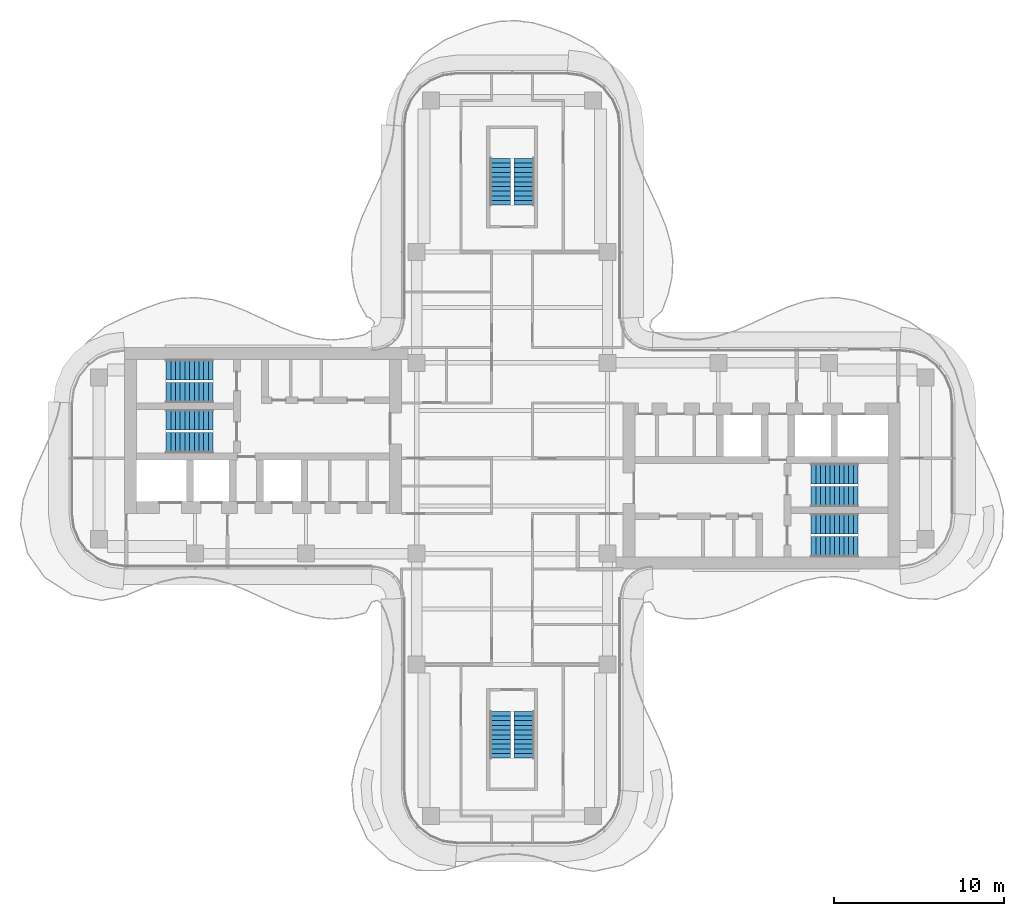
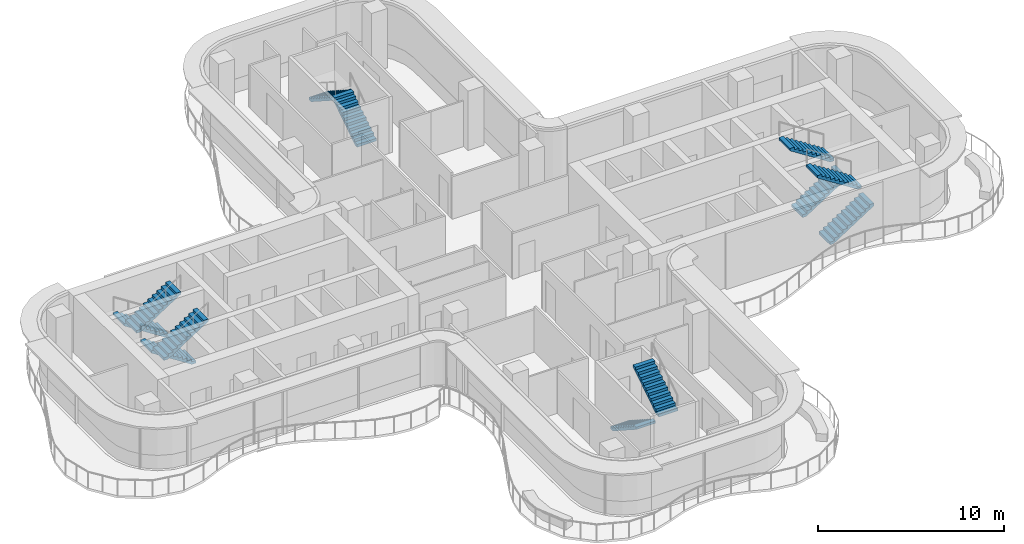
# One storey, part 15 of 17: 12 stair flights, 6 elements without a shape of their own.
"""IFC4 building model written with IfcOpenShell, lengths in metres."""

from ifc_helpers import new_model, si_unit, direction, frame, origin, place, context, subcontext, project, spatial, polyline, outline, extrude, source, transform, mapped, material, type_object, element, aggregate, save


model = new_model("IFC4")

# Units and contexts
model_context = context("Model", 3, precision=1e-05, world=origin(), true_north=direction((0.0, 1.0)))
body_context = subcontext(model_context, "Body", "Model", "MODEL_VIEW")
ifc_project = project(units=[si_unit("LENGTHUNIT", "METRE"), si_unit("AREAUNIT", "SQUARE_METRE"), si_unit("VOLUMEUNIT", "CUBIC_METRE"), si_unit("PLANEANGLEUNIT", "RADIAN"), si_unit("MASSUNIT", "GRAM", prefix="KILO")], contexts=[model_context])

# Site, building, storey
site_placement = place(None, origin())
site = spatial("IfcSite", under=ifc_project, at=site_placement, CompositionType="ELEMENT")
building_placement = place(site_placement, origin())
building = spatial("IfcBuilding", under=site, at=building_placement, Name="Trellis Farm Tower", CompositionType="ELEMENT")
storey_placement = place(building_placement, frame((0.0, 0.0, 295.0)))
storey = spatial("IfcBuildingStorey", under=building, at=storey_placement, Name="L66", CompositionType="ELEMENT", Elevation=295.0)

# Stair, stair flights
ifc_material = material(Name="Concrete C50/60", Category="concrete")
stair_type = type_object("IfcStairType", Name="CORE EXIT STAIR 22 RISERS 177 MM", PredefinedType="HALF_TURN_STAIR", material=ifc_material)
placement = place(storey_placement, origin())
stair_1 = element("IfcStair", 1, at=placement, inside=storey, type_object=stair_type, Name="Exit stair N", PredefinedType="HALF_TURN_STAIR")
stair_flight_type = type_object("IfcStairFlightType", Name="STAIR FLIGHT 11 RISERS 177 MM", PredefinedType="STRAIGHT", material=ifc_material)
shared_shape = source(origin(), body_context, "Body", "SweptSolid", [
    extrude(outline(polyline([(0.0, 0.0), (0.0, 0.17724609375), (0.27490234375, 0.17724609375), (0.27490234375, 0.3544921875), (0.550048828125, 0.3544921875), (0.550048828125, 0.53173828125), (0.824951171875, 0.53173828125), (0.824951171875, 0.708984375), (1.10009765625, 0.708984375), (1.10009765625, 0.886474609375), (1.375, 0.886474609375), (1.375, 1.063720703125), (1.64990234375, 1.063720703125), (1.64990234375, 1.240966796875), (1.925048828125, 1.240966796875), (1.925048828125, 1.418212890625), (2.199951171875, 1.418212890625), (2.199951171875, 1.595458984375), (2.47509765625, 1.595458984375), (2.47509765625, 1.772705078125), (2.75, 1.772705078125), (2.75, 1.949951171875), (2.75, 1.6181640625), (0.23974609375, 0.0), (0.0, 0.0)])), frame((0.0, 0.60009765625, 0.0), z_axis=(0.0, -1.0, 0.0), x_axis=(1.0, 0.0, 0.0)), (0.0, 0.0, 1.0), 1.199951171875),
])
stair_flight_1_placement = place(storey_placement, frame((0.699951171875, 14.85009765625, 0.0), z_axis=(0.0, 0.0, 1.0), x_axis=(0.0, 1.0, 0.0)))
stair_flight_1 = element("IfcStairFlight", 2, at=stair_flight_1_placement, type_object=stair_flight_type, Name="STN flight 1", NumberOfRisers=11, NumberOfTreads=10, PredefinedType="STRAIGHT", RiserHeight=0.177272727, TreadLength=0.275, context=body_context, shape_type="MappedRepresentation", body=[
    mapped(shared_shape, transform((0.0, 0.0, 0.0))),
])
stair_flight_2_placement = place(storey_placement, frame((-0.699951171875, 17.60009765625, 1.949951171875), z_axis=(0.0, 0.0, 1.0), x_axis=(0.0, -1.0, 0.0)))
stair_flight_2 = element("IfcStairFlight", 3, at=stair_flight_2_placement, type_object=stair_flight_type, Name="STN flight 2", NumberOfRisers=11, NumberOfTreads=10, PredefinedType="STRAIGHT", RiserHeight=0.177272727, TreadLength=0.275, context=body_context, shape_type="MappedRepresentation", body=[
    mapped(shared_shape, transform((0.0, 0.0, 0.0))),
])
aggregate(stair_1, [stair_flight_1, stair_flight_2])

stair_2 = element("IfcStair", 4, at=placement, inside=storey, type_object=stair_type, Name="Exit stair S", PredefinedType="HALF_TURN_STAIR")
stair_flight_3_placement = place(storey_placement, frame((-0.699951171875, -14.85009765625, 0.0), z_axis=(0.0, 0.0, 1.0), x_axis=(0.0, -1.0, 0.0)))
stair_flight_3 = element("IfcStairFlight", 5, at=stair_flight_3_placement, type_object=stair_flight_type, Name="STS flight 1", NumberOfRisers=11, NumberOfTreads=10, PredefinedType="STRAIGHT", RiserHeight=0.177272727, TreadLength=0.275, context=body_context, shape_type="MappedRepresentation", body=[
    mapped(shared_shape, transform((0.0, 0.0, 0.0))),
])
stair_flight_4_placement = place(storey_placement, frame((0.699951171875, -17.60009765625, 1.949951171875), z_axis=(0.0, 0.0, 1.0), x_axis=(0.0, 1.0, 0.0)))
stair_flight_4 = element("IfcStairFlight", 6, at=stair_flight_4_placement, type_object=stair_flight_type, Name="STS flight 2", NumberOfRisers=11, NumberOfTreads=10, PredefinedType="STRAIGHT", RiserHeight=0.177272727, TreadLength=0.275, context=body_context, shape_type="MappedRepresentation", body=[
    mapped(shared_shape, transform((0.0, 0.0, 0.0))),
])
aggregate(stair_2, [stair_flight_3, stair_flight_4])

stair_3 = element("IfcStair", 7, at=placement, inside=storey, type_object=stair_type, Name="Exit stair E1", PredefinedType="HALF_TURN_STAIR")
stair_flight_5_placement = place(storey_placement, frame((17.550048828125, -5.199951171875, 0.0), z_axis=(0.0, 0.0, 1.0), x_axis=(1.0, 0.0, 0.0)))
stair_flight_5 = element("IfcStairFlight", 8, at=stair_flight_5_placement, type_object=stair_flight_type, Name="STE1 flight 1", NumberOfRisers=11, NumberOfTreads=10, PredefinedType="STRAIGHT", RiserHeight=0.177272727, TreadLength=0.275, context=body_context, shape_type="MappedRepresentation", body=[
    mapped(shared_shape, transform((0.0, 0.0, 0.0))),
])
stair_flight_6_placement = place(storey_placement, frame((20.300048828125, -3.85009765625, 1.949951171875), z_axis=(0.0, 0.0, 1.0), x_axis=(-1.0, 0.0, 0.0)))
stair_flight_6 = element("IfcStairFlight", 9, at=stair_flight_6_placement, type_object=stair_flight_type, Name="STE1 flight 2", NumberOfRisers=11, NumberOfTreads=10, PredefinedType="STRAIGHT", RiserHeight=0.177272727, TreadLength=0.275, context=body_context, shape_type="MappedRepresentation", body=[
    mapped(shared_shape, transform((0.0, 0.0, 0.0))),
])
aggregate(stair_3, [stair_flight_5, stair_flight_6])

stair_4 = element("IfcStair", 10, at=placement, inside=storey, type_object=stair_type, Name="Exit stair E2", PredefinedType="HALF_TURN_STAIR")
stair_flight_7_placement = place(storey_placement, frame((17.550048828125, -2.25, 0.0), z_axis=(0.0, 0.0, 1.0), x_axis=(1.0, 0.0, 0.0)))
stair_flight_7 = element("IfcStairFlight", 11, at=stair_flight_7_placement, type_object=stair_flight_type, Name="STE2 flight 1", NumberOfRisers=11, NumberOfTreads=10, PredefinedType="STRAIGHT", RiserHeight=0.177272727, TreadLength=0.275, context=body_context, shape_type="MappedRepresentation", body=[
    mapped(shared_shape, transform((0.0, 0.0, 0.0))),
])
stair_flight_8_placement = place(storey_placement, frame((20.300048828125, -0.89990234375, 1.949951171875), z_axis=(0.0, 0.0, 1.0), x_axis=(-1.0, 0.0, 0.0)))
stair_flight_8 = element("IfcStairFlight", 12, at=stair_flight_8_placement, type_object=stair_flight_type, Name="STE2 flight 2", NumberOfRisers=11, NumberOfTreads=10, PredefinedType="STRAIGHT", RiserHeight=0.177272727, TreadLength=0.275, context=body_context, shape_type="MappedRepresentation", body=[
    mapped(shared_shape, transform((0.0, 0.0, 0.0))),
])
aggregate(stair_4, [stair_flight_7, stair_flight_8])

stair_5 = element("IfcStair", 13, at=placement, inside=storey, type_object=stair_type, Name="Exit stair W1", PredefinedType="HALF_TURN_STAIR")
stair_flight_9_placement = place(storey_placement, frame((-17.550048828125, 5.199951171875, 0.0), z_axis=(0.0, 0.0, 1.0), x_axis=(-1.0, 0.0, 0.0)))
stair_flight_9 = element("IfcStairFlight", 14, at=stair_flight_9_placement, type_object=stair_flight_type, Name="STW1 flight 1", NumberOfRisers=11, NumberOfTreads=10, PredefinedType="STRAIGHT", RiserHeight=0.177272727, TreadLength=0.275, context=body_context, shape_type="MappedRepresentation", body=[
    mapped(shared_shape, transform((0.0, 0.0, 0.0))),
])
stair_flight_10_placement = place(storey_placement, frame((-20.300048828125, 3.85009765625, 1.949951171875), z_axis=(0.0, 0.0, 1.0), x_axis=(1.0, 0.0, 0.0)))
stair_flight_10 = element("IfcStairFlight", 15, at=stair_flight_10_placement, type_object=stair_flight_type, Name="STW1 flight 2", NumberOfRisers=11, NumberOfTreads=10, PredefinedType="STRAIGHT", RiserHeight=0.177272727, TreadLength=0.275, context=body_context, shape_type="MappedRepresentation", body=[
    mapped(shared_shape, transform((0.0, 0.0, 0.0))),
])
aggregate(stair_5, [stair_flight_9, stair_flight_10])

stair_6 = element("IfcStair", 16, at=placement, inside=storey, type_object=stair_type, Name="Exit stair W2", PredefinedType="HALF_TURN_STAIR")
stair_flight_11_placement = place(storey_placement, frame((-17.550048828125, 2.25, 0.0), z_axis=(0.0, 0.0, 1.0), x_axis=(-1.0, 0.0, 0.0)))
stair_flight_11 = element("IfcStairFlight", 17, at=stair_flight_11_placement, type_object=stair_flight_type, Name="STW2 flight 1", NumberOfRisers=11, NumberOfTreads=10, PredefinedType="STRAIGHT", RiserHeight=0.177272727, TreadLength=0.275, context=body_context, shape_type="MappedRepresentation", body=[
    mapped(shared_shape, transform((0.0, 0.0, 0.0))),
])
stair_flight_12_placement = place(storey_placement, frame((-20.300048828125, 0.89990234375, 1.949951171875), z_axis=(0.0, 0.0, 1.0), x_axis=(1.0, 0.0, 0.0)))
stair_flight_12 = element("IfcStairFlight", 18, at=stair_flight_12_placement, type_object=stair_flight_type, Name="STW2 flight 2", NumberOfRisers=11, NumberOfTreads=10, PredefinedType="STRAIGHT", RiserHeight=0.177272727, TreadLength=0.275, context=body_context, shape_type="MappedRepresentation", body=[
    mapped(shared_shape, transform((0.0, 0.0, 0.0))),
])
aggregate(stair_6, [stair_flight_11, stair_flight_12])

save(model, "model.ifc")
